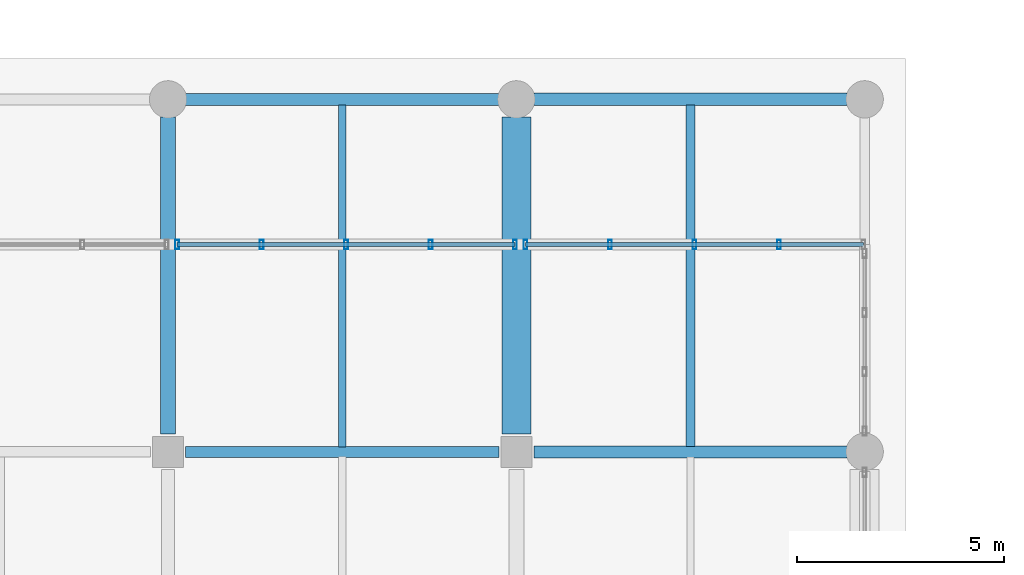
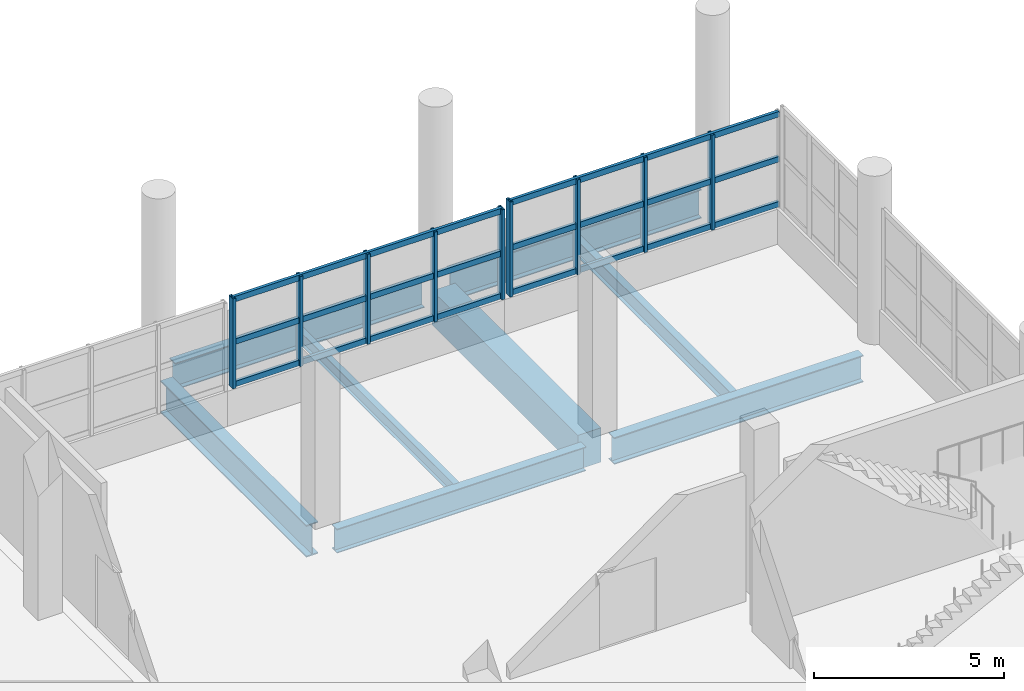
# One storey, part 58 of 107: 15 members, 8 beams, 2 elements without a shape of their own.
"""IFC4 building model written with IfcOpenShell, lengths in metres."""

from ifc_helpers import new_model, si_unit, direction, frame, origin, origin_2d, place, context, subcontext, project, spatial, rectangle, hollow_rectangle, i_section, extrude, material, material_profile, profile_set, type_object, element, aggregate, save


model = new_model("IFC4")

# Units and contexts
model_context = context("Model", 3, precision=1e-05, world=origin(), true_north=direction((0.0, 1.0)))
body_context = subcontext(model_context, "Body", "Model", "MODEL_VIEW")
ifc_project = project(units=[si_unit("LENGTHUNIT", "METRE"), si_unit("AREAUNIT", "SQUARE_METRE"), si_unit("VOLUMEUNIT", "CUBIC_METRE"), si_unit("PLANEANGLEUNIT", "RADIAN"), si_unit("MASSUNIT", "GRAM", prefix="KILO")], contexts=[model_context])

# Site, building, storey
site_placement = place(None, origin())
site = spatial("IfcSite", under=ifc_project, at=site_placement, CompositionType="ELEMENT")
building_placement = place(site_placement, origin())
building = spatial("IfcBuilding", under=site, at=building_placement, Name="Solvento Point Concert Hall", CompositionType="ELEMENT")
storey_placement = place(building_placement, origin())
storey = spatial("IfcBuildingStorey", under=building, at=storey_placement, Name="L00", CompositionType="ELEMENT", Elevation=0.0)

# Beams
ifc_material_1 = material(Name="Structural Steel ASTM A992 Grade 50", Category="steel")
ifc_material_profile_1 = material_profile(ifc_material_1, i_section(OverallWidth=0.20947265625, OverallDepth=0.532958984375, WebThickness=0.01025390625, FlangeThickness=0.015625, at=origin_2d()), Name="W21X62")
ifc_profile_set_1 = profile_set([ifc_material_profile_1], Name="Structural Steel ASTM A992 Grade 50")
beam_type_1 = type_object("IfcBeamType", Name="Beam_W21X62", PredefinedType="BEAM", material=ifc_profile_set_1)
beam_1_placement = place(storey_placement, frame((204.60009765625, 17.131103515625, -0.680419921875), z_axis=(0.0, 1.0, 0.0), x_axis=(-1.0, 0.0, 0.0)))
element("IfcBeam", 1, at=beam_1_placement, inside=storey, type_object=beam_type_1, Name="Secondary floor joist B-25 L00", PredefinedType="BEAM", context=body_context, shape_type="SweptSolid", body=[
    extrude(i_section(OverallWidth=0.20947265625, OverallDepth=0.532958984375, WebThickness=0.01025390625, FlangeThickness=0.015625, at=origin_2d()), origin(), (0.0, 0.0, 1.0), 8.230224609375),
])
ifc_material_2 = material(Name="Concrete C35/45", Category="concrete")
ifc_material_profile_2 = material_profile(ifc_material_2, rectangle(XDim=0.699951171875, YDim=1.10009765625, at=origin_2d()), Name="RC-BM-700X1100")
ifc_profile_set_2 = profile_set([ifc_material_profile_2], Name="Concrete C35/45")
beam_type_2 = type_object("IfcBeamType", Name="Girder_RC_700x1100", PredefinedType="USERDEFINED", material=ifc_profile_set_2)
beam_2_placement = place(storey_placement, frame((200.39990234375, 17.424072265625, -0.964111328125), z_axis=(0.0, 1.0, 0.0), x_axis=(-1.0, 0.0, 0.0)))
element("IfcBeam", 2, at=beam_2_placement, inside=storey, type_object=beam_type_2, Name="Primary girder B-49 L00", ObjectType="GIRDER", PredefinedType="USERDEFINED", context=body_context, shape_type="SweptSolid", body=[
    extrude(rectangle(XDim=0.699951171875, YDim=1.10009765625, at=origin_2d()), origin(), (0.0, 0.0, 1.0), 7.65185546875),
])
ifc_material_3 = material(Name="Structural Steel ASTM A992 Grade 50", Category="steel")
ifc_material_profile_3 = material_profile(ifc_material_3, i_section(OverallWidth=0.26806640625, OverallDepth=0.77001953125, WebThickness=0.015625, FlangeThickness=0.025390625, at=origin_2d()), Name="W30X132")
ifc_profile_set_3 = profile_set([ifc_material_profile_3], Name="Structural Steel ASTM A992 Grade 50")
beam_type_3 = type_object("IfcBeamType", Name="Girder_W30X132", PredefinedType="USERDEFINED", material=ifc_profile_set_3)
beam_3_placement = place(storey_placement, frame((192.424072265625, 17.0, -0.799072265625), z_axis=(1.0, 0.0, 0.0), x_axis=(0.0, 1.0, 0.0)))
element("IfcBeam", 3, at=beam_3_placement, inside=storey, type_object=beam_type_3, Name="Primary girder B-68 L00", ObjectType="GIRDER", PredefinedType="USERDEFINED", context=body_context, shape_type="SweptSolid", body=[
    extrude(i_section(OverallWidth=0.26806640625, OverallDepth=0.77001953125, WebThickness=0.015625, FlangeThickness=0.025390625, at=origin_2d()), origin(), (0.0, 0.0, 1.0), 7.552001953125),
])
ifc_material_4 = material(Name="Structural Steel ASTM A992 Grade 50", Category="steel")
ifc_material_profile_4 = material_profile(ifc_material_4, i_section(OverallWidth=0.2919921875, OverallDepth=0.85888671875, WebThickness=0.01708984375, FlangeThickness=0.031005859375, at=origin_2d()), Name="W33X169")
ifc_profile_set_4 = profile_set([ifc_material_profile_4], Name="Structural Steel ASTM A992 Grade 50")
beam_type_4 = type_object("IfcBeamType", Name="Girder_W33X169", PredefinedType="USERDEFINED", material=ifc_profile_set_4)
for number, where, z_axis, x_axis, name in (
    (4, (200.823974609375, 17.0, -0.843505859375), (1.0, 0.0, 0.0), (0.0, 1.0, 0.0), "Primary girder B-33 L00"),
    (5, (192.424072265625, 25.5, -0.673583984375), (1.0, 0.0, 0.0), (0.0, 1.0, 0.0), "Primary girder B-33 L00"),
):
    element("IfcBeam", number, at=place(storey_placement, frame(where, z_axis=z_axis, x_axis=x_axis)), inside=storey, type_object=beam_type_4, Name=name, ObjectType="GIRDER", PredefinedType="USERDEFINED", context=body_context, shape_type="SweptSolid", body=[
        extrude(i_section(OverallWidth=0.2919921875, OverallDepth=0.85888671875, WebThickness=0.01708984375, FlangeThickness=0.031005859375, at=origin_2d()), origin(), (0.0, 0.0, 1.0), 7.552001953125),
    ])
ifc_material_5 = material(Name="Structural Steel ASTM A992 Grade 50", Category="steel")
ifc_material_profile_5 = material_profile(ifc_material_5, i_section(OverallWidth=0.3076171875, OverallDepth=0.927001953125, WebThickness=0.019287109375, FlangeThickness=0.031982421875, at=origin_2d()), Name="W36X194")
ifc_profile_set_5 = profile_set([ifc_material_profile_5], Name="Structural Steel ASTM A992 Grade 50")
beam_type_5 = type_object("IfcBeamType", Name="Girder_W36X194", PredefinedType="USERDEFINED", material=ifc_profile_set_5)
beam_4_placement = place(storey_placement, frame((200.823974609375, 25.5, -0.70751953125), z_axis=(1.0, 0.0, 0.0), x_axis=(0.0, 1.0, 0.0)))
element("IfcBeam", 6, at=beam_4_placement, inside=storey, type_object=beam_type_5, Name="Primary girder B-61 L00", ObjectType="GIRDER", PredefinedType="USERDEFINED", context=body_context, shape_type="SweptSolid", body=[
    extrude(i_section(OverallWidth=0.3076171875, OverallDepth=0.927001953125, WebThickness=0.019287109375, FlangeThickness=0.031982421875, at=origin_2d()), origin(), (0.0, 0.0, 1.0), 7.552001953125),
])
ifc_material_6 = material(Name="Structural Steel ASTM A992 Grade 50", Category="steel")
ifc_material_profile_6 = material_profile(ifc_material_6, i_section(OverallWidth=0.361083984375, OverallDepth=1.02587890625, WebThickness=0.01904296875, FlangeThickness=0.0361328125, at=origin_2d()), Name="W40X249")
ifc_profile_set_6 = profile_set([ifc_material_profile_6], Name="Structural Steel ASTM A992 Grade 50")
beam_type_6 = type_object("IfcBeamType", Name="Girder_W40X249", PredefinedType="USERDEFINED", material=ifc_profile_set_6)
beam_5_placement = place(storey_placement, frame((192.0, 17.424072265625, -0.927001953125), z_axis=(0.0, 1.0, 0.0), x_axis=(-1.0, 0.0, 0.0)))
element("IfcBeam", 7, at=beam_5_placement, inside=storey, type_object=beam_type_6, Name="Primary girder B-29 L00", ObjectType="GIRDER", PredefinedType="USERDEFINED", context=body_context, shape_type="SweptSolid", body=[
    extrude(i_section(OverallWidth=0.361083984375, OverallDepth=1.02587890625, WebThickness=0.01904296875, FlangeThickness=0.0361328125, at=origin_2d()), origin(), (0.0, 0.0, 1.0), 7.65185546875),
])
ifc_material_7 = material(Name="Structural Steel ASTM A992 Grade 50", Category="steel")
ifc_material_profile_7 = material_profile(ifc_material_7, i_section(OverallWidth=0.177490234375, OverallDepth=0.403076171875, WebThickness=0.007568359375, FlangeThickness=0.010986328125, at=origin_2d()), Name="W16X36")
ifc_profile_set_7 = profile_set([ifc_material_profile_7], Name="Structural Steel ASTM A992 Grade 50")
beam_type_7 = type_object("IfcBeamType", Name="Joist_W16X36", PredefinedType="JOIST", material=ifc_profile_set_7)
beam_6_placement = place(storey_placement, frame((196.199951171875, 17.118896484375, -0.615478515625), z_axis=(0.0, 1.0, 0.0), x_axis=(-1.0, 0.0, 0.0)))
element("IfcBeam", 8, at=beam_6_placement, inside=storey, type_object=beam_type_7, Name="Secondary floor joist B-30 L00", PredefinedType="JOIST", context=body_context, shape_type="SweptSolid", body=[
    extrude(i_section(OverallWidth=0.177490234375, OverallDepth=0.403076171875, WebThickness=0.007568359375, FlangeThickness=0.010986328125, at=origin_2d()), origin(), (0.0, 0.0, 1.0), 8.25),
])

# Curtain wall, members
ifc_material_8 = material(Name="Anodized Bronze Aluminium", Category="aluminium")
curtain_wall_type = type_object("IfcCurtainWallType", Name="CurtainWall_CafeVeranda", PredefinedType="USERDEFINED", material=ifc_material_8)
curtain_wall_1_placement = place(storey_placement, origin())
curtain_wall_1 = element("IfcCurtainWall", 9, at=curtain_wall_1_placement, inside=storey, type_object=curtain_wall_type, Name="Unitised curtain wall CW-42 UCW-L00-044", ObjectType="UNITISED CURTAIN WALL", PredefinedType="USERDEFINED")
ifc_material_9 = material(Name="Anodized Bronze Aluminium", Category="aluminium")
ifc_material_profile_8 = material_profile(ifc_material_9, hollow_rectangle(XDim=0.090087890625, YDim=0.219970703125, WallThickness=0.00439453125, at=origin_2d()), Name="CW-MUL-90X220")
ifc_profile_set_8 = profile_set([ifc_material_profile_8], Name="Anodized Bronze Aluminium")
member_type_1 = type_object("IfcMemberType", Name="Mullion_90x220", PredefinedType="MULLION", material=ifc_profile_set_8)
member_1_placement = place(storey_placement, frame((192.219970703125, 22.0, 1.1201171875), z_axis=(0.0, 0.0, 1.0), x_axis=(1.0, 0.0, 0.0)))
member_1 = element("IfcMember", 10, at=member_1_placement, type_object=member_type_1, Name="Curtain wall mullion ML-02", PredefinedType="MULLION", context=body_context, shape_type="SweptSolid", body=[
    extrude(hollow_rectangle(XDim=0.090087890625, YDim=0.219970703125, WallThickness=0.00439453125, at=origin_2d()), origin(), (0.0, 0.0, 1.0), 2.8837890625),
])
member_2_placement = place(storey_placement, frame((194.257568359375, 22.0, 1.1201171875), z_axis=(0.0, 0.0, 1.0), x_axis=(1.0, 0.0, 0.0)))
member_2 = element("IfcMember", 11, at=member_2_placement, type_object=member_type_1, Name="Curtain wall mullion ML-02", PredefinedType="MULLION", context=body_context, shape_type="SweptSolid", body=[
    extrude(hollow_rectangle(XDim=0.090087890625, YDim=0.219970703125, WallThickness=0.00439453125, at=origin_2d()), origin(), (0.0, 0.0, 1.0), 2.8837890625),
])
member_3_placement = place(storey_placement, frame((196.294921875, 22.0, 1.1201171875), z_axis=(0.0, 0.0, 1.0), x_axis=(1.0, 0.0, 0.0)))
member_3 = element("IfcMember", 12, at=member_3_placement, type_object=member_type_1, Name="Curtain wall mullion ML-02", PredefinedType="MULLION", context=body_context, shape_type="SweptSolid", body=[
    extrude(hollow_rectangle(XDim=0.090087890625, YDim=0.219970703125, WallThickness=0.00439453125, at=origin_2d()), origin(), (0.0, 0.0, 1.0), 2.8837890625),
])
member_4_placement = place(storey_placement, frame((198.33251953125, 22.0, 1.1201171875), z_axis=(0.0, 0.0, 1.0), x_axis=(1.0, 0.0, 0.0)))
member_4 = element("IfcMember", 13, at=member_4_placement, type_object=member_type_1, Name="Curtain wall mullion ML-02", PredefinedType="MULLION", context=body_context, shape_type="SweptSolid", body=[
    extrude(hollow_rectangle(XDim=0.090087890625, YDim=0.219970703125, WallThickness=0.00439453125, at=origin_2d()), origin(), (0.0, 0.0, 1.0), 2.8837890625),
])
member_5_placement = place(storey_placement, frame((200.3701171875, 22.0, 1.1201171875), z_axis=(0.0, 0.0, 1.0), x_axis=(1.0, 0.0, 0.0)))
member_5 = element("IfcMember", 14, at=member_5_placement, type_object=member_type_1, Name="Curtain wall mullion ML-02", PredefinedType="MULLION", context=body_context, shape_type="SweptSolid", body=[
    extrude(hollow_rectangle(XDim=0.090087890625, YDim=0.219970703125, WallThickness=0.00439453125, at=origin_2d()), origin(), (0.0, 0.0, 1.0), 2.8837890625),
])

curtain_wall_2_placement = place(storey_placement, origin())
curtain_wall_2 = element("IfcCurtainWall", 15, at=curtain_wall_2_placement, inside=storey, type_object=curtain_wall_type, Name="Unitised curtain wall CW-42 UCW-L00-045", ObjectType="UNITISED CURTAIN WALL", PredefinedType="USERDEFINED")
member_6_placement = place(storey_placement, frame((200.6201171875, 22.0, 1.1201171875), z_axis=(0.0, 0.0, 1.0), x_axis=(1.0, 0.0, 0.0)))
member_6 = element("IfcMember", 16, at=member_6_placement, type_object=member_type_1, Name="Curtain wall mullion ML-02", PredefinedType="MULLION", context=body_context, shape_type="SweptSolid", body=[
    extrude(hollow_rectangle(XDim=0.090087890625, YDim=0.219970703125, WallThickness=0.00439453125, at=origin_2d()), origin(), (0.0, 0.0, 1.0), 3.0439453125),
])
member_7_placement = place(storey_placement, frame((202.657470703125, 22.0, 1.1201171875), z_axis=(0.0, 0.0, 1.0), x_axis=(1.0, 0.0, 0.0)))
member_7 = element("IfcMember", 17, at=member_7_placement, type_object=member_type_1, Name="Curtain wall mullion ML-02", PredefinedType="MULLION", context=body_context, shape_type="SweptSolid", body=[
    extrude(hollow_rectangle(XDim=0.090087890625, YDim=0.219970703125, WallThickness=0.00439453125, at=origin_2d()), origin(), (0.0, 0.0, 1.0), 3.0439453125),
])
member_8_placement = place(storey_placement, frame((204.695068359375, 22.0, 1.1201171875), z_axis=(0.0, 0.0, 1.0), x_axis=(1.0, 0.0, 0.0)))
member_8 = element("IfcMember", 18, at=member_8_placement, type_object=member_type_1, Name="Curtain wall mullion ML-02", PredefinedType="MULLION", context=body_context, shape_type="SweptSolid", body=[
    extrude(hollow_rectangle(XDim=0.090087890625, YDim=0.219970703125, WallThickness=0.00439453125, at=origin_2d()), origin(), (0.0, 0.0, 1.0), 3.0439453125),
])
member_9_placement = place(storey_placement, frame((206.732421875, 22.0, 1.1201171875), z_axis=(0.0, 0.0, 1.0), x_axis=(1.0, 0.0, 0.0)))
member_9 = element("IfcMember", 19, at=member_9_placement, type_object=member_type_1, Name="Curtain wall mullion ML-02", PredefinedType="MULLION", context=body_context, shape_type="SweptSolid", body=[
    extrude(hollow_rectangle(XDim=0.090087890625, YDim=0.219970703125, WallThickness=0.00439453125, at=origin_2d()), origin(), (0.0, 0.0, 1.0), 3.0439453125),
])

# Member
ifc_material_10 = material(Name="Anodized Bronze Aluminium", Category="aluminium")
ifc_material_profile_9 = material_profile(ifc_material_10, hollow_rectangle(XDim=0.090087890625, YDim=0.179931640625, WallThickness=0.00439453125, at=origin_2d()), Name="CW-TRN-90X180")
ifc_profile_set_9 = profile_set([ifc_material_profile_9], Name="Anodized Bronze Aluminium")
member_type_2 = type_object("IfcMemberType", Name="Transom_90x180", PredefinedType="USERDEFINED", material=ifc_profile_set_9)
member_10_placement = place(storey_placement, frame((192.219970703125, 22.0, 1.199951171875), z_axis=(1.0, 0.0, 0.0), x_axis=(0.0, 1.0, 0.0)))
member_10 = element("IfcMember", 20, at=member_10_placement, type_object=member_type_2, Name="Curtain wall transom TR-02", ObjectType="TRANSOM", PredefinedType="USERDEFINED", context=body_context, shape_type="SweptSolid", body=[
    extrude(hollow_rectangle(XDim=0.090087890625, YDim=0.179931640625, WallThickness=0.00439453125, at=origin_2d()), origin(), (0.0, 0.0, 1.0), 8.150146484375),
])

member_11_placement = place(storey_placement, frame((192.219970703125, 22.0, 2.56201171875), z_axis=(1.0, 0.0, 0.0), x_axis=(0.0, 1.0, 0.0)))
member_11 = element("IfcMember", 21, at=member_11_placement, type_object=member_type_2, Name="Curtain wall transom TR-02", ObjectType="TRANSOM", PredefinedType="USERDEFINED", context=body_context, shape_type="SweptSolid", body=[
    extrude(hollow_rectangle(XDim=0.090087890625, YDim=0.179931640625, WallThickness=0.00439453125, at=origin_2d()), origin(), (0.0, 0.0, 1.0), 8.150146484375),
])

member_12_placement = place(storey_placement, frame((192.219970703125, 22.0, 3.924072265625), z_axis=(1.0, 0.0, 0.0), x_axis=(0.0, 1.0, 0.0)))
member_12 = element("IfcMember", 22, at=member_12_placement, type_object=member_type_2, Name="Curtain wall transom TR-02", ObjectType="TRANSOM", PredefinedType="USERDEFINED", context=body_context, shape_type="SweptSolid", body=[
    extrude(hollow_rectangle(XDim=0.090087890625, YDim=0.179931640625, WallThickness=0.00439453125, at=origin_2d()), origin(), (0.0, 0.0, 1.0), 8.150146484375),
])

aggregate(curtain_wall_1, [member_1, member_2, member_3, member_4, member_5, member_10, member_11, member_12])

member_13_placement = place(storey_placement, frame((200.6201171875, 22.0, 1.199951171875), z_axis=(1.0, 0.0, 0.0), x_axis=(0.0, 1.0, 0.0)))
member_13 = element("IfcMember", 23, at=member_13_placement, type_object=member_type_2, Name="Curtain wall transom TR-02", ObjectType="TRANSOM", PredefinedType="USERDEFINED", context=body_context, shape_type="SweptSolid", body=[
    extrude(hollow_rectangle(XDim=0.090087890625, YDim=0.179931640625, WallThickness=0.00439453125, at=origin_2d()), origin(), (0.0, 0.0, 1.0), 8.14990234375),
])

member_14_placement = place(storey_placement, frame((200.6201171875, 22.0, 2.64208984375), z_axis=(1.0, 0.0, 0.0), x_axis=(0.0, 1.0, 0.0)))
member_14 = element("IfcMember", 24, at=member_14_placement, type_object=member_type_2, Name="Curtain wall transom TR-02", ObjectType="TRANSOM", PredefinedType="USERDEFINED", context=body_context, shape_type="SweptSolid", body=[
    extrude(hollow_rectangle(XDim=0.090087890625, YDim=0.179931640625, WallThickness=0.00439453125, at=origin_2d()), origin(), (0.0, 0.0, 1.0), 8.14990234375),
])

member_15_placement = place(storey_placement, frame((200.6201171875, 22.0, 4.083984375), z_axis=(1.0, 0.0, 0.0), x_axis=(0.0, 1.0, 0.0)))
member_15 = element("IfcMember", 25, at=member_15_placement, type_object=member_type_2, Name="Curtain wall transom TR-02", ObjectType="TRANSOM", PredefinedType="USERDEFINED", context=body_context, shape_type="SweptSolid", body=[
    extrude(hollow_rectangle(XDim=0.090087890625, YDim=0.179931640625, WallThickness=0.00439453125, at=origin_2d()), origin(), (0.0, 0.0, 1.0), 8.14990234375),
])

aggregate(curtain_wall_2, [member_6, member_7, member_8, member_9, member_13, member_14, member_15])

save(model, "model.ifc")
